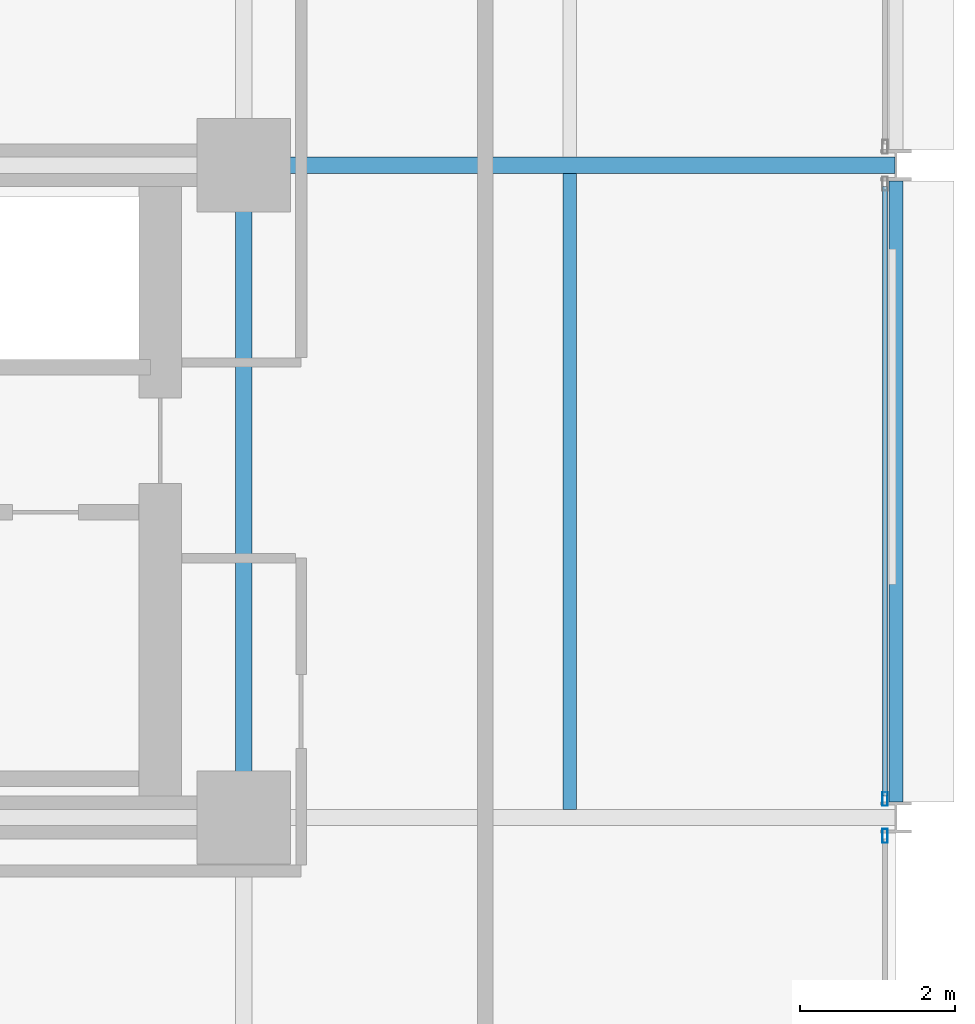
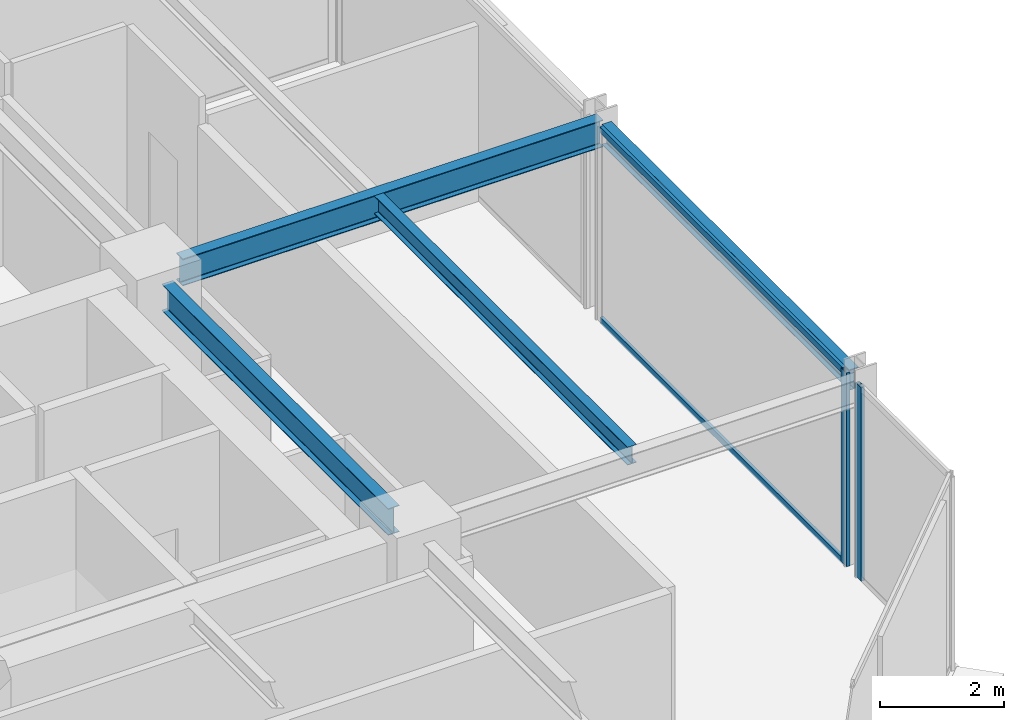
# One storey, part 14 of 30: 4 beams, 4 members, 2 elements without a shape of their own.
"""IFC4 building model written with IfcOpenShell, lengths in metres."""

from ifc_helpers import new_model, si_unit, direction, frame, origin, origin_2d, place, context, subcontext, project, spatial, hollow_rectangle, i_section, extrude, material, layer, layer_set, material_profile, profile_set, type_object, element, aggregate, save


model = new_model("IFC4")

# Units and contexts
model_context = context("Model", 3, precision=1e-05, world=origin(), true_north=direction((0.0, 1.0)))
body_context = subcontext(model_context, "Body", "Model", "MODEL_VIEW")
ifc_project = project(units=[si_unit("LENGTHUNIT", "METRE"), si_unit("AREAUNIT", "SQUARE_METRE"), si_unit("VOLUMEUNIT", "CUBIC_METRE"), si_unit("PLANEANGLEUNIT", "RADIAN"), si_unit("MASSUNIT", "GRAM", prefix="KILO")], contexts=[model_context])

# Site, building, storey
site_placement = place(None, origin())
site = spatial("IfcSite", under=ifc_project, at=site_placement, CompositionType="ELEMENT")
building_placement = place(site_placement, origin())
building = spatial("IfcBuilding", under=site, at=building_placement, Name="Nerrivon Quay Data Exchange", CompositionType="ELEMENT")
storey_placement = place(building_placement, frame((0.0, 0.0, 154.10009765625)))
storey = spatial("IfcBuildingStorey", under=building, at=storey_placement, Name="L36", CompositionType="ELEMENT", Elevation=154.10009765625)

# Beams
ifc_material_1 = material(Name="Steel Grade 350", Category="steel")
ifc_material_profile_1 = material_profile(ifc_material_1, i_section(OverallWidth=0.208984375, OverallDepth=0.532958984375, WebThickness=0.01025390625, FlangeThickness=0.015625, FilletRadius=0.013916015625, at=origin_2d()), Name="530UB92.4")
ifc_profile_set_1 = profile_set([ifc_material_profile_1], Name="Steel Grade 350")
beam_type_1 = type_object("IfcBeamType", Name="BM-G3-530UB92", PredefinedType="BEAM", material=ifc_profile_set_1)
beam_1_placement = place(storey_placement, frame((34.139892578125, 16.800048828125, 3.558349609375), z_axis=(1.0, 0.0, 0.0), x_axis=(0.0, 1.0, 0.0)))
element("IfcBeam", 1, at=beam_1_placement, inside=storey, type_object=beam_type_1, Name="L36 EW Girder Y=16.8 (33.6..42.0)", PredefinedType="BEAM", context=body_context, shape_type="SweptSolid", body=[
    extrude(i_section(OverallWidth=0.208984375, OverallDepth=0.532958984375, WebThickness=0.01025390625, FlangeThickness=0.015625, FilletRadius=0.013916015625, at=origin_2d()), origin(), (0.0, 0.0, 1.0), 7.84765625),
])
ifc_material_profile_2 = material_profile(ifc_material_1, i_section(OverallWidth=0.208984375, OverallDepth=0.528076171875, WebThickness=0.009521484375, FlangeThickness=0.01318359375, FilletRadius=0.013916015625, at=origin_2d()), Name="530UB82.0")
ifc_profile_set_2 = profile_set([ifc_material_profile_2], Name="Steel Grade 350")
beam_type_2 = type_object("IfcBeamType", Name="BM-G4-530UB82", PredefinedType="BEAM", material=ifc_profile_set_2)
beam_2_placement = place(storey_placement, frame((33.60009765625, 8.93994140625, 3.560791015625), z_axis=(0.0, 1.0, 0.0), x_axis=(-1.0, 0.0, 0.0)))
element("IfcBeam", 2, at=beam_2_placement, inside=storey, type_object=beam_type_2, Name="L36 NS Girder X=33.6 (8.4..16.8)", PredefinedType="BEAM", context=body_context, shape_type="SweptSolid", body=[
    extrude(i_section(OverallWidth=0.208984375, OverallDepth=0.528076171875, WebThickness=0.009521484375, FlangeThickness=0.01318359375, FilletRadius=0.013916015625, at=origin_2d()), origin(), (0.0, 0.0, 1.0), 7.320068359375),
])
ifc_material_profile_3 = material_profile(ifc_material_1, i_section(OverallWidth=0.1708984375, OverallDepth=0.35595703125, WebThickness=0.00732421875, FlangeThickness=0.011474609375, FilletRadius=0.011474609375, at=origin_2d()), Name="360UB50.7")
ifc_profile_set_3 = profile_set([ifc_material_profile_3], Name="Steel Grade 350")
beam_type_3 = type_object("IfcBeamType", Name="BM-J4-360UB51", PredefinedType="JOIST", material=ifc_profile_set_3)
beam_3_placement = place(storey_placement, frame((37.800048828125, 8.50439453125, 3.64697265625), z_axis=(0.0, 1.0, 0.0), x_axis=(-1.0, 0.0, 0.0)))
element("IfcBeam", 3, at=beam_3_placement, inside=storey, type_object=beam_type_3, Name="L36 Secondary Joist X=37.8 (8.4..16.8)", PredefinedType="JOIST", context=body_context, shape_type="SweptSolid", body=[
    extrude(i_section(OverallWidth=0.1708984375, OverallDepth=0.35595703125, WebThickness=0.00732421875, FlangeThickness=0.011474609375, FilletRadius=0.011474609375, at=origin_2d()), origin(), (0.0, 0.0, 1.0), 8.191162109375),
])
ifc_material_profile_4 = material_profile(ifc_material_1, i_section(OverallWidth=0.177978515625, OverallDepth=0.403076171875, WebThickness=0.007568359375, FlangeThickness=0.010986328125, FilletRadius=0.011474609375, at=origin_2d()), Name="410UB53.7")
ifc_profile_set_4 = profile_set([ifc_material_profile_4], Name="Steel Grade 350")
beam_type_4 = type_object("IfcBeamType", Name="BM-SP2-410UB54", PredefinedType="SPANDREL", material=ifc_profile_set_4)
beam_4_placement = place(storey_placement, frame((42.0, 8.60009765625, 3.623291015625), z_axis=(0.0, 1.0, 0.0), x_axis=(-1.0, 0.0, 0.0)))
element("IfcBeam", 4, at=beam_4_placement, inside=storey, type_object=beam_type_4, Name="L36 NS Girder X=42.0 (8.4..16.8)", PredefinedType="SPANDREL", context=body_context, shape_type="SweptSolid", body=[
    extrude(i_section(OverallWidth=0.177978515625, OverallDepth=0.403076171875, WebThickness=0.007568359375, FlangeThickness=0.010986328125, FilletRadius=0.011474609375, at=origin_2d()), origin(), (0.0, 0.0, 1.0), 8.0),
])

# Curtain wall, member
ifc_material_2 = material(Name="Anodised aluminium 6063-T6", Category="aluminium")
ifc_layer = layer(ifc_material_2, 0.2099609375)
ifc_layer_set = layer_set([ifc_layer], Name="Anodised aluminium 6063-T6")
curtain_wall_type = type_object("IfcCurtainWallType", Name="CW-SYS-02", PredefinedType="NOTDEFINED", material=ifc_layer_set)
curtain_wall_1_placement = place(storey_placement, origin())
curtain_wall_1 = element("IfcCurtainWall", 5, at=curtain_wall_1_placement, inside=storey, type_object=curtain_wall_type, Name="L36 Unitised Curtain Wall 29", PredefinedType="NOTDEFINED")
ifc_material_profile_5 = material_profile(ifc_material_2, hollow_rectangle(XDim=0.06494140625, YDim=0.179931640625, WallThickness=0.00341796875, at=origin_2d()), Name="ALU-MULL-180x65")
ifc_profile_set_5 = profile_set([ifc_material_profile_5], Name="Anodised aluminium 6063-T6")
member_type_1 = type_object("IfcMemberType", Name="CWM-180x65", PredefinedType="MULLION", material=ifc_profile_set_5)
member_1_placement = place(storey_placement, frame((41.860107421875, 8.637451171875, 0.0), z_axis=(0.0, 0.0, 1.0), x_axis=(1.0, 0.0, 0.0)))
member_1 = element("IfcMember", 6, at=member_1_placement, type_object=member_type_1, Name="CW02 mullion 2", PredefinedType="MULLION", context=body_context, shape_type="SweptSolid", body=[
    extrude(hollow_rectangle(XDim=0.06494140625, YDim=0.179931640625, WallThickness=0.00341796875, at=origin_2d()), origin(), (0.0, 0.0, 1.0), 3.824951171875),
])

curtain_wall_2_placement = place(storey_placement, origin())
curtain_wall_2 = element("IfcCurtainWall", 7, at=curtain_wall_2_placement, inside=storey, type_object=curtain_wall_type, Name="L36 Unitised Curtain Wall 30", PredefinedType="NOTDEFINED")
member_2_placement = place(storey_placement, frame((41.860107421875, 8.16259765625, 0.0), z_axis=(0.0, 0.0, 1.0), x_axis=(1.0, 0.0, 0.0)))
member_2 = element("IfcMember", 8, at=member_2_placement, type_object=member_type_1, Name="CW02 mullion 1", PredefinedType="MULLION", context=body_context, shape_type="SweptSolid", body=[
    extrude(hollow_rectangle(XDim=0.06494140625, YDim=0.179931640625, WallThickness=0.00341796875, at=origin_2d()), origin(), (0.0, 0.0, 1.0), 3.824951171875),
])
aggregate(curtain_wall_2, [member_2])

# Member
ifc_material_profile_6 = material_profile(ifc_material_2, hollow_rectangle(XDim=0.06005859375, YDim=0.1201171875, WallThickness=0.003173828125, at=origin_2d()), Name="ALU-TRAN-120x60")
ifc_profile_set_6 = profile_set([ifc_material_profile_6], Name="Anodised aluminium 6063-T6")
member_type_2 = type_object("IfcMemberType", Name="CWT-120x60", PredefinedType="USERDEFINED", material=ifc_profile_set_6)
member_3_placement = place(storey_placement, frame((41.860107421875, 16.52490234375, 0.032470703125), z_axis=(0.0, -1.0, 0.0), x_axis=(1.0, 0.0, 0.0)))
member_3 = element("IfcMember", 9, at=member_3_placement, type_object=member_type_2, Name="CW02 transom 1.1", ObjectType="TRANSOM", PredefinedType="USERDEFINED", context=body_context, shape_type="SweptSolid", body=[
    extrude(hollow_rectangle(XDim=0.06005859375, YDim=0.1201171875, WallThickness=0.003173828125, at=origin_2d()), origin(), (0.0, 0.0, 1.0), 7.849853515625),
])

member_4_placement = place(storey_placement, frame((41.860107421875, 16.52490234375, 3.79248046875), z_axis=(0.0, -1.0, 0.0), x_axis=(1.0, 0.0, 0.0)))
member_4 = element("IfcMember", 10, at=member_4_placement, type_object=member_type_2, Name="CW02 transom 1.2", ObjectType="TRANSOM", PredefinedType="USERDEFINED", context=body_context, shape_type="SweptSolid", body=[
    extrude(hollow_rectangle(XDim=0.06005859375, YDim=0.1201171875, WallThickness=0.003173828125, at=origin_2d()), origin(), (0.0, 0.0, 1.0), 7.849853515625),
])

aggregate(curtain_wall_1, [member_1, member_3, member_4])

save(model, "model.ifc")
